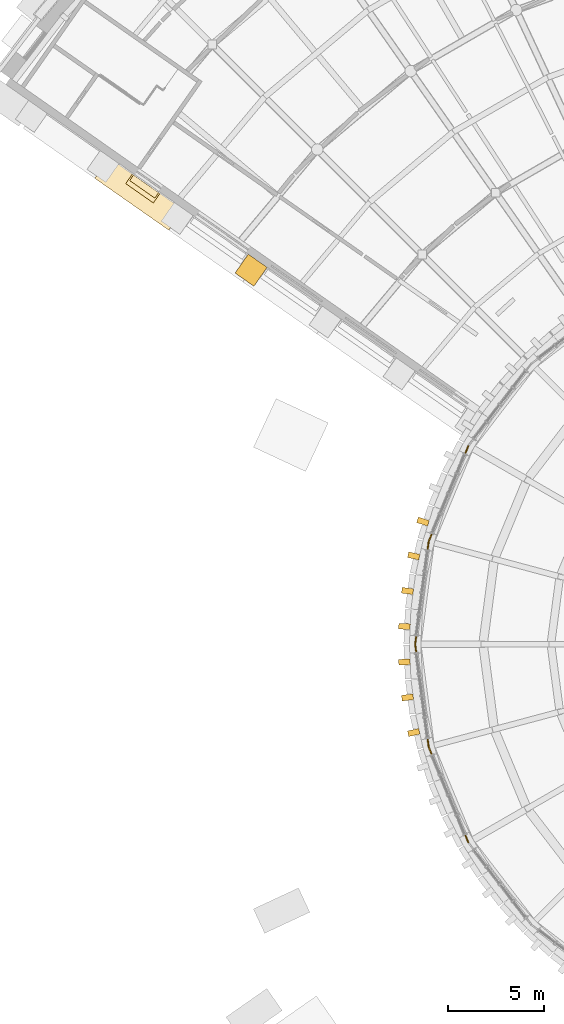
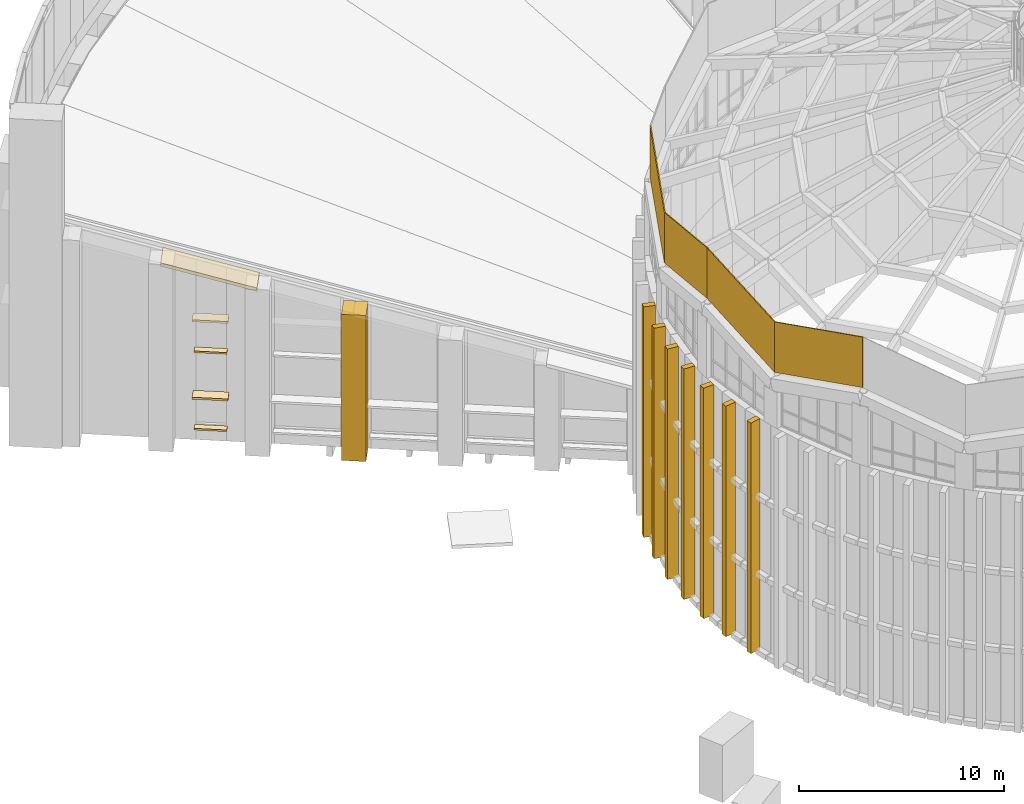
# One storey, part 65 of 82: 17 coverings.
"""IFC4 building model written with IfcOpenShell, lengths in metres."""

from ifc_helpers import new_model, si_unit, direction, frame, origin, origin_2d, place, context, subcontext, project, spatial, polyline, rectangle, outline, extrude, material, layer, layer_set, type_object, element, save


model = new_model("IFC4")

# Units and contexts
model_context = context("Model", 3, precision=1e-05, world=origin(), true_north=direction((0.0, 1.0)))
body_context = subcontext(model_context, "Body", "Model", "MODEL_VIEW")
ifc_project = project(units=[si_unit("LENGTHUNIT", "METRE"), si_unit("AREAUNIT", "SQUARE_METRE"), si_unit("VOLUMEUNIT", "CUBIC_METRE"), si_unit("PLANEANGLEUNIT", "RADIAN"), si_unit("MASSUNIT", "GRAM", prefix="KILO")], contexts=[model_context])

# Site, building, storey
site_placement = place(None, origin())
site = spatial("IfcSite", under=ifc_project, at=site_placement, CompositionType="ELEMENT")
building_placement = place(site_placement, origin())
building = spatial("IfcBuilding", under=site, at=building_placement, Name="Volute Hill Aquarium", CompositionType="ELEMENT")
storey_placement = place(building_placement, frame((0.0, 0.0, 13.800048828125)))
storey = spatial("IfcBuildingStorey", under=building, at=storey_placement, Name="L04", CompositionType="ELEMENT", Elevation=13.800048828125)

# Coverings
ifc_material_1 = material(Name="Precast pale concrete C40/50", Category="concrete")
covering_type_1 = type_object("IfcCoveringType", Name="Drum pier fin 300x600", PredefinedType="CLADDING", material=ifc_material_1)
for number, where, z_axis, x_axis, name in (
    (1, (-20.29541015625, 6.399169921875, 0.0), (0.0, 0.0, 1.0), (-0.300705799504, -0.953716950748, 0.0), "Drum pier fin DF 33 L04"),
    (2, (-20.77587890625, 4.60595703125, 0.0), (0.0, 0.0, 1.0), (-0.216439613938, -0.97629600712, 0.0), "Drum pier fin DF 34 L04"),
    (3, (-21.09814453125, 2.777587890625, 0.0), (0.0, 0.0, 1.0), (-0.13052619222, -0.991444861374, 0.0), "Drum pier fin DF 35 L04"),
    (4, (-21.260009765625, 0.92822265625, 0.0), (0.0, 0.0, 1.0), (-0.043619387365, -0.999048221582, 0.0), "Drum pier fin DF 36 L04"),
    (5, (-21.260009765625, -0.92822265625, 0.0), (0.0, 0.0, 1.0), (0.043619387365, -0.999048221582, 0.0), "Drum pier fin DF 37 L04"),
    (6, (-21.09814453125, -2.777587890625, 0.0), (0.0, 0.0, 1.0), (0.13052619222, -0.991444861374, 0.0), "Drum pier fin DF 38 L04"),
    (7, (-20.77587890625, -4.60595703125, 0.0), (0.0, 0.0, 1.0), (0.216439613938, -0.97629600712, 0.0), "Drum pier fin DF 39 L04"),
):
    element("IfcCovering", number, at=place(storey_placement, frame(where, z_axis=z_axis, x_axis=x_axis)), inside=storey, type_object=covering_type_1, Name=name, PredefinedType="CLADDING", context=body_context, shape_type="SweptSolid", body=[
        extrude(rectangle(XDim=0.300048828125, YDim=0.60009765625, at=origin_2d()), origin(), (0.0, 0.0, 1.0), 13.699951171875),
    ])
ifc_material_2 = material(Name="Zinc")
ifc_layer_1 = layer(ifc_material_2, 0.06005859375)
ifc_layer_set_1 = layer_set([ifc_layer_1], Name="Eave fascia zinc 60")
covering_type_2 = type_object("IfcCoveringType", Name="Eave fascia zinc 60", PredefinedType="CLADDING", material=ifc_layer_set_1)
covering_1_placement = place(storey_placement, frame((-17.95458984375, 10.361572265625, 18.099853515625), z_axis=(-0.923883575944, 0.382673670509, 0.0), x_axis=(-0.370444717355, -0.894359389043, -0.250782763791)))
element("IfcCovering", 8, at=covering_1_placement, inside=storey, type_object=covering_type_2, Name="Eave fascia EF 11", PredefinedType="CLADDING", context=body_context, shape_type="SweptSolid", body=[
    extrude(outline(polyline([(0.0, 0.0), (5.582131413601545, 2.220446049250313e-16), (4.829783122227233, 2.9041301707165523), (-0.7523482913743128, 2.9041301707165523), (0.0, 0.0)])), origin(), (0.0, 0.0, -1.0), 0.06005859375),
])
covering_2_placement = place(storey_placement, frame((-20.0244140625, 5.361572265625, 16.699951171875), z_axis=(-0.991445528216, 0.130521126954, 0.0), x_axis=(-0.126350331942, -0.959763944084, 0.250776325148)))
element("IfcCovering", 9, at=covering_2_placement, inside=storey, type_object=covering_type_2, Name="Eave fascia EF 12", PredefinedType="CLADDING", context=body_context, shape_type="SweptSolid", body=[
    extrude(outline(polyline([(0.0, 0.0), (5.582274733959821, -2.220446049250313e-16), (6.334603709404373, 2.9041351746615636), (0.7523289754445518, 2.9041351746615636), (0.0, 0.0)])), origin(), (0.0, 0.0, -1.0), 0.06005859375),
])
covering_3_placement = place(storey_placement, frame((-20.729736328125, -0.00390625, 18.099853515625), z_axis=(-0.991445528216, -0.130521126954, 0.0), x_axis=(0.126350331942, -0.959763944084, -0.250776325148)))
element("IfcCovering", 10, at=covering_3_placement, inside=storey, type_object=covering_type_2, Name="Eave fascia EF 13", PredefinedType="CLADDING", context=body_context, shape_type="SweptSolid", body=[
    extrude(outline(polyline([(0.0, 0.0), (5.582274733959821, 2.220446049250313e-16), (4.829945758515269, 2.9041351746615636), (-0.7523289754445518, 2.9041351746615636), (0.0, 0.0)])), origin(), (0.0, 0.0, -1.0), 0.06005859375),
])
covering_4_placement = place(storey_placement, frame((-20.0224609375, -5.369140625, 16.699951171875), z_axis=(-0.923883575944, -0.382673670509, 0.0), x_axis=(0.370444717355, -0.894359389043, 0.250782763791)))
element("IfcCovering", 11, at=covering_4_placement, inside=storey, type_object=covering_type_2, Name="Eave fascia EF 14", PredefinedType="CLADDING", context=body_context, shape_type="SweptSolid", body=[
    extrude(outline(polyline([(0.0, 0.0), (5.582131413601545, -2.220446049250313e-16), (6.334479704975858, 2.9041301707165523), (0.7523482913743128, 2.9041301707165523), (0.0, 0.0)])), origin(), (0.0, 0.0, -1.0), 0.06005859375),
])
ifc_material_3 = material(Name="Precast concrete C40/50", Category="concrete")
covering_type_3 = type_object("IfcCoveringType", Name="End wall precast coping C40/50 1350x200", PredefinedType="CLADDING", material=ifc_material_3)
covering_5_placement = place(storey_placement, frame((-32.777099609375, 22.70654296875, 9.893798828125), z_axis=(0.573608342351, 0.819129702541, 0.0), x_axis=(-0.793334834745, 0.5555450841, 0.24897690558)))
element("IfcCovering", 12, at=covering_5_placement, inside=storey, type_object=covering_type_3, Name="End wall coping EWC S6B L04 5", PredefinedType="CLADDING", context=body_context, shape_type="SweptSolid", body=[
    extrude(outline(polyline([(0.0, 0.0), (4.866595634857646, 0.0), (4.916378858898137, 0.19365459389934458), (0.049783224040491465, 0.1936545938993445), (0.0, 0.0)])), origin(), (0.0, 0.0, -1.0), 1.35009765625),
])
ifc_material_4 = material(Name="Precast concrete C40/50", Category="concrete")
covering_type_4 = type_object("IfcCoveringType", Name="End wall precast fin C40/50 1200x1200", PredefinedType="CLADDING", material=ifc_material_4)
covering_6_placement = place(storey_placement, frame((-29.26025390625, 19.51171875, 0.0), z_axis=(0.0, 0.0, 1.0), x_axis=(-0.819151442029, 0.573577296467, 0.0)))
element("IfcCovering", 13, at=covering_6_placement, inside=storey, type_object=covering_type_4, Name="End wall fin EWF S6B L04 4", PredefinedType="CLADDING", context=body_context, shape_type="SweptSolid", body=[
    extrude(rectangle(XDim=1.199951171875, YDim=1.199951171875, at=origin_2d()), origin(), (0.0, 0.0, 1.0), 8.68212890625),
])
ifc_material_5 = material(Name="Precast concrete C40/50", Category="concrete")
ifc_layer_2 = layer(ifc_material_5, 0.1201171875)
ifc_layer_set_2 = layer_set([ifc_layer_2], Name="End wall window head blade precast C40/50 600x120")
covering_type_5 = type_object("IfcCoveringType", Name="End wall window head blade precast C40/50 600x120", PredefinedType="CLADDING", material=ifc_layer_set_2)
for number, where, z_axis, x_axis, name in (
    (14, (-34.908203125, 23.771484375, 2.7998046875), (0.0, 0.0, 1.0), (-0.819151442029, 0.573577296467, 0.0), "End wall window head blade EWB S6B L04 5.1"),
    (15, (-34.908203125, 23.771484375, 7.39990234375), (0.0, 0.0, 1.0), (-0.819151442029, 0.573577296467, 0.0), "End wall window head blade EWB S6B L04 5.2"),
):
    element("IfcCovering", number, at=place(storey_placement, frame(where, z_axis=z_axis, x_axis=x_axis)), inside=storey, type_object=covering_type_5, Name=name, PredefinedType="CLADDING", context=body_context, shape_type="SweptSolid", body=[
        extrude(rectangle(XDim=1.760009765625, YDim=0.60009765625, at=origin_2d()), origin(), (0.0, 0.0, 1.0), 0.1201171875),
    ])
ifc_material_6 = material(Name="Precast concrete C40/50", Category="concrete")
ifc_layer_3 = layer(ifc_material_6, 0.10009765625)
ifc_layer_set_3 = layer_set([ifc_layer_3], Name="End wall window sill precast C40/50 350x100")
covering_type_6 = type_object("IfcCoveringType", Name="End wall window sill precast C40/50 350x100", PredefinedType="CLADDING", material=ifc_layer_set_3)
for number, where, z_axis, x_axis, name in (
    (16, (-34.836669921875, 23.8740234375, 0.7998046875), (0.0, 0.0, 1.0), (-0.819151442029, 0.573577296467, 0.0), "End wall window sill EWS S6B L04 5.1"),
    (17, (-34.836669921875, 23.8740234375, 5.39990234375), (0.0, 0.0, 1.0), (-0.819151442029, 0.573577296467, 0.0), "End wall window sill EWS S6B L04 5.2"),
):
    element("IfcCovering", number, at=place(storey_placement, frame(where, z_axis=z_axis, x_axis=x_axis)), inside=storey, type_object=covering_type_6, Name=name, PredefinedType="CLADDING", context=body_context, shape_type="SweptSolid", body=[
        extrude(rectangle(XDim=1.60009765625, YDim=0.35009765625, at=origin_2d()), origin(), (0.0, 0.0, 1.0), 0.10009765625),
    ])

save(model, "model.ifc")
